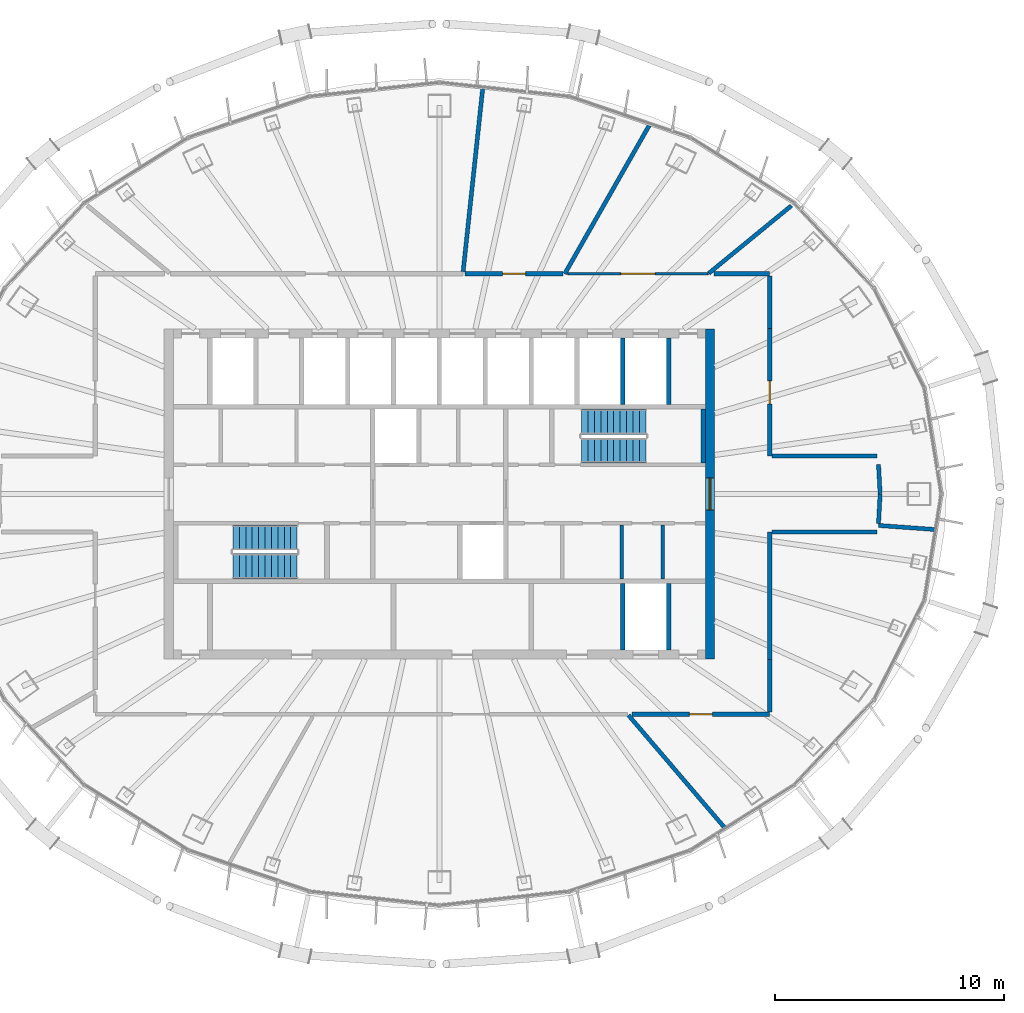
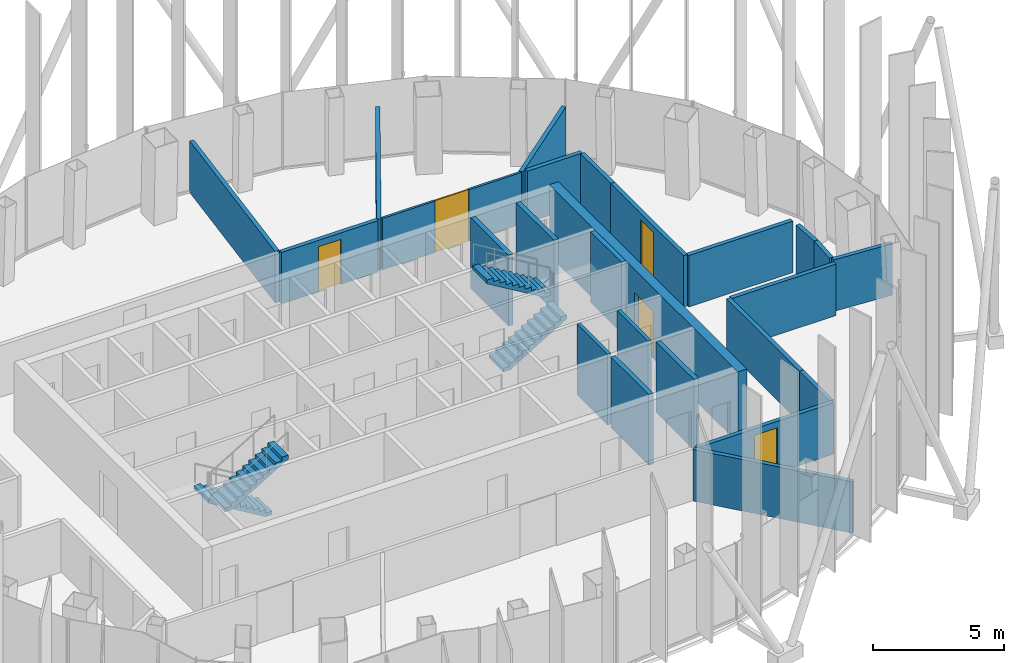
# One storey, part 12 of 19: 25 walls, 5 doors, 4 stair flights, 5 openings, 2 elements without a shape of their own.
"""IFC4 building model written with IfcOpenShell, lengths in metres."""

from ifc_helpers import new_model, si_unit, direction, frame, frame_2d, origin, place, context, subcontext, project, spatial, polyline, rectangle, outline, extrude, material, layer, layer_set, type_object, element, fill, aggregate, save


model = new_model("IFC4")

# Units and contexts
model_context = context("Model", 3, precision=1e-05, world=origin(), true_north=direction((0.0, 1.0)))
body_context = subcontext(model_context, "Body", "Model", "MODEL_VIEW")
ifc_project = project(units=[si_unit("LENGTHUNIT", "METRE"), si_unit("AREAUNIT", "SQUARE_METRE"), si_unit("VOLUMEUNIT", "CUBIC_METRE"), si_unit("PLANEANGLEUNIT", "RADIAN"), si_unit("MASSUNIT", "GRAM", prefix="KILO")], contexts=[model_context])

# Site, building, storey
site_placement = place(None, origin())
site = spatial("IfcSite", under=ifc_project, at=site_placement, CompositionType="ELEMENT")
building_placement = place(site_placement, origin())
building = spatial("IfcBuilding", under=site, at=building_placement, Name="Siaravel Broadcast Tower", CompositionType="ELEMENT")
storey_placement = place(building_placement, frame((0.0, 0.0, 217.10009765625)))
storey = spatial("IfcBuildingStorey", under=building, at=storey_placement, Name="L52", CompositionType="ELEMENT", Elevation=217.10009765625)

# Walls
ifc_material_1 = material(Name="Concrete blockwork", Category="masonry")
ifc_layer_1 = layer(ifc_material_1, 0.14990234375)
ifc_layer_set_1 = layer_set([ifc_layer_1], Name="Concrete blockwork")
wall_type_1 = type_object("IfcWallType", Name="Core partition 150", PredefinedType="PARTITIONING", material=ifc_layer_set_1)
for number, where, z_axis, x_axis, name in (
    (1, (7.951904296875, -3.699951171875, 0.0), (0.0, 0.0, 1.0), (0.0, 1.0, 0.0), "L52 core partition PSE1"),
    (2, (9.73193359375, -3.699951171875, 0.0), (0.0, 0.0, 1.0), (0.0, 1.0, 0.0), "L52 core partition PSE2"),
):
    element("IfcWall", number, at=place(storey_placement, frame(where, z_axis=z_axis, x_axis=x_axis)), inside=storey, type_object=wall_type_1, Name=name, PredefinedType="PARTITIONING", context=body_context, shape_type="SweptSolid", body=[
        extrude(rectangle(XDim=2.349853515625, YDim=0.14990234375, at=frame_2d((1.1748046875, 0.0))), origin(), (0.0, 0.0, 1.0), 3.2998046875),
    ])

# Wall, opening, door
ifc_material_2 = material(Name="Concrete C60/75", Category="concrete")
ifc_layer_2 = layer(ifc_material_2, 0.39990234375)
ifc_layer_set_2 = layer_set([ifc_layer_2], Name="Concrete C60/75")
wall_type_2 = type_object("IfcWallType", Name="Core wall 400", PredefinedType="SHEAR", material=ifc_layer_set_2)
wall_1_placement = place(storey_placement, frame((11.800048828125, -7.199951171875, 0.0), z_axis=(0.0, 0.0, 1.0), x_axis=(0.0, 1.0, 0.0)))
wall_1 = element("IfcWall", 3, at=wall_1_placement, inside=storey, type_object=wall_type_2, Name="L52 core wall OE", PredefinedType="SHEAR", context=body_context, shape_type="SweptSolid", body=[
    extrude(rectangle(XDim=14.39990234375, YDim=0.39990234375, at=frame_2d((7.199951171875, 0.0))), origin(), (0.0, 0.0, 1.0), 3.2998046875),
])
opening_1_placement = place(wall_1_placement, frame((6.5, 0.0, 0.0)))
opening_1 = element("IfcOpeningElement", 4, at=opening_1_placement, cuts=wall_1, Name="Opening L52-DX-E", PredefinedType="OPENING", context=body_context, shape_type="SweptSolid", body=[
    extrude(rectangle(XDim=1.39990234375, YDim=2.199951171875, at=frame_2d((0.699951171875, 1.10009765625))), frame((0.0, 0.2099609375, 0.0), z_axis=(0.0, -1.0, 0.0), x_axis=(1.0, 0.0, 0.0)), (0.0, 0.0, 1.0), 0.419921875),
])
ifc_material_3 = material(Name="Steel", Category="steel")
door_type_1 = type_object("IfcDoorType", Name="Core exit door 1400", OperationType="DOUBLE_DOOR_SINGLE_SWING", PredefinedType="DOOR", material=ifc_material_3)
door_1_placement = place(opening_1_placement, origin())
door_1 = element("IfcDoor", 5, at=door_1_placement, inside=storey, type_object=door_type_1, Name="L52 door DX-E", OperationType="DOUBLE_DOOR_SINGLE_SWING", OverallHeight=2.199951171875, OverallWidth=1.39990234375, PredefinedType="DOOR", context=body_context, shape_type="SweptSolid", body=[
    extrude(rectangle(XDim=1.39990234375, YDim=2.199951171875, at=frame_2d((0.699951171875, 1.10009765625))), frame((0.0, 0.02490234375, 0.0), z_axis=(0.0, -1.0, 0.0), x_axis=(1.0, 0.0, 0.0)), (0.0, 0.0, 1.0), 0.050048828125),
])
fill(opening_1, door_1)

ifc_material_4 = material(Name="Glazed aluminium partition", Category="aluminium")
ifc_layer_3 = layer(ifc_material_4, 0.10009765625)
ifc_layer_set_3 = layer_set([ifc_layer_3], Name="Glazed aluminium partition")
wall_type_3 = type_object("IfcWallType", Name="Glazed meeting room partition 100", PredefinedType="PARTITIONING", material=ifc_layer_set_3)
wall_2_placement = place(storey_placement, frame((11.719970703125, 9.60009765625, 0.0), z_axis=(0.0, 0.0, 1.0), x_axis=(-1.0, 0.0, 0.0)))
wall_2 = element("IfcWall", 6, at=wall_2_placement, inside=storey, type_object=wall_type_3, Name="L52 partition 8", PredefinedType="PARTITIONING", context=body_context, shape_type="SweptSolid", body=[
    extrude(rectangle(XDim=6.120849609375, YDim=0.10009765625, at=frame_2d((3.060546875, 0.0))), origin(), (0.0, 0.0, 1.0), 2.39990234375),
])
opening_2_placement = place(wall_2_placement, frame((2.310302734375, 0.0, 0.0)))
opening_2 = element("IfcOpeningElement", 7, at=opening_2_placement, cuts=wall_2, Name="Opening L52-004", PredefinedType="OPENING", context=body_context, shape_type="SweptSolid", body=[
    extrude(rectangle(XDim=1.5, YDim=2.39990234375, at=frame_2d((0.75, 1.199951171875))), frame((0.0, 0.06005859375, 0.0), z_axis=(0.0, -1.0, 0.0), x_axis=(1.0, 0.0, 0.0)), (0.0, 0.0, 1.0), 0.1201171875),
])
ifc_material_5 = material(Name="Timber veneer", Category="wood")
door_type_2 = type_object("IfcDoorType", Name="Conference double door 1500", OperationType="DOUBLE_DOOR_SINGLE_SWING", PredefinedType="DOOR", material=ifc_material_5)
door_2_placement = place(opening_2_placement, origin())
door_2 = element("IfcDoor", 8, at=door_2_placement, inside=storey, type_object=door_type_2, Name="L52 door to Conference room", OperationType="DOUBLE_DOOR_SINGLE_SWING", OverallHeight=2.39990234375, OverallWidth=1.5, PredefinedType="DOOR", context=body_context, shape_type="SweptSolid", body=[
    extrude(rectangle(XDim=1.5, YDim=2.39990234375, at=frame_2d((0.75, 1.199951171875))), frame((0.0, 0.02490234375, 0.0), z_axis=(0.0, -1.0, 0.0), x_axis=(1.0, 0.0, 0.0)), (0.0, 0.0, 1.0), 0.050048828125),
])
fill(opening_2, door_2)

# Walls
ifc_layer_4 = layer(ifc_material_1, 0.179931640625)
ifc_layer_set_4 = layer_set([ifc_layer_4], Name="Concrete blockwork")
wall_type_4 = type_object("IfcWallType", Name="Service room fire partition 180", PredefinedType="PARTITIONING", material=ifc_layer_set_4)
wall_3_placement = place(storey_placement, frame((1.890380859375, 17.698486328125, 0.0), z_axis=(0.0, 0.0, 1.0), x_axis=(-0.106198071, -0.994344995, 0.0)))
element("IfcWall", 9, at=wall_3_placement, inside=storey, type_object=wall_type_4, Name="L52 partition 4", PredefinedType="PARTITIONING", context=body_context, shape_type="SweptSolid", body=[
    extrude(rectangle(XDim=8.05322265625, YDim=0.179931640625, at=frame_2d((4.026611328125, 0.0))), origin(), (0.0, 0.0, 1.0), 2.39990234375),
])
wall_4_placement = place(storey_placement, frame((9.16796875, 16.1044921875, 0.0), z_axis=(0.0, 0.0, 1.0), x_axis=(-0.494736666, -0.86904294, 0.0)))
element("IfcWall", 10, at=wall_4_placement, inside=storey, type_object=wall_type_4, Name="L52 partition 6", PredefinedType="PARTITIONING", context=body_context, shape_type="SweptSolid", body=[
    extrude(rectangle(XDim=7.484619140625, YDim=0.179931640625, at=frame_2d((3.7421875, 0.0))), origin(), (0.0, 0.0, 1.0), 2.39990234375),
])
wall_5_placement = place(storey_placement, frame((12.44580078125, -14.5595703125, 0.0), z_axis=(0.0, 0.0, 1.0), x_axis=(-0.649761442, 0.76013819, 0.0)))
element("IfcWall", 11, at=wall_5_placement, inside=storey, type_object=wall_type_4, Name="L52 partition 7", PredefinedType="PARTITIONING", context=body_context, shape_type="SweptSolid", body=[
    extrude(rectangle(XDim=6.46533203125, YDim=0.179931640625, at=frame_2d((3.232666015625, 0.0))), origin(), (0.0, 0.0, 1.0), 2.39990234375),
])

# Wall, opening, door
wall_6_placement = place(storey_placement, frame((8.40380859375, -9.60009765625, 0.0), z_axis=(0.0, 0.0, 1.0), x_axis=(1.0, 0.0, 0.0)))
wall_6 = element("IfcWall", 12, at=wall_6_placement, inside=storey, type_object=wall_type_4, Name="L52 partition 9", PredefinedType="PARTITIONING", context=body_context, shape_type="SweptSolid", body=[
    extrude(rectangle(XDim=5.99609375, YDim=0.179931640625, at=frame_2d((2.998046875, 0.0))), origin(), (0.0, 0.0, 1.0), 2.39990234375),
])
opening_3_placement = place(wall_6_placement, frame((2.498046875, 0.0, 0.0)))
opening_3 = element("IfcOpeningElement", 13, at=opening_3_placement, cuts=wall_6, Name="Opening L52-002", PredefinedType="OPENING", context=body_context, shape_type="SweptSolid", body=[
    extrude(rectangle(XDim=1.0, YDim=2.10009765625, at=frame_2d((0.5, 1.050048828125))), frame((0.0, 0.099853515625, 0.0), z_axis=(0.0, -1.0, 0.0), x_axis=(1.0, 0.0, 0.0)), (0.0, 0.0, 1.0), 0.199951171875),
])
door_type_3 = type_object("IfcDoorType", Name="Service room door 1000", OperationType="SINGLE_SWING_LEFT", PredefinedType="DOOR", material=ifc_material_3)
door_3_placement = place(opening_3_placement, origin())
door_3 = element("IfcDoor", 14, at=door_3_placement, inside=storey, type_object=door_type_3, Name="L52 door to Library", OperationType="SINGLE_SWING_RIGHT", OverallHeight=2.10009765625, OverallWidth=1.0, PredefinedType="DOOR", context=body_context, shape_type="SweptSolid", body=[
    extrude(rectangle(XDim=1.0, YDim=2.10009765625, at=frame_2d((0.5, 1.050048828125))), frame((0.0, 0.02490234375, 0.0), z_axis=(0.0, -1.0, 0.0), x_axis=(1.0, 0.0, 0.0)), (0.0, 0.0, 1.0), 0.050048828125),
])
fill(opening_3, door_3)

# Wall
wall_7_placement = place(storey_placement, frame((14.39990234375, -7.2119140625, 0.0), z_axis=(0.0, 0.0, 1.0), x_axis=(0.0, 1.0, 0.0)))
element("IfcWall", 15, at=wall_7_placement, inside=storey, type_object=wall_type_4, Name="L52 partition 12", PredefinedType="PARTITIONING", context=body_context, shape_type="SweptSolid", body=[
    extrude(rectangle(XDim=5.56201171875, YDim=0.179931640625, at=frame_2d((2.781005859375, 0.0))), origin(), (0.0, 0.0, 1.0), 2.39990234375),
])

# Wall, opening, door
wall_8_placement = place(storey_placement, frame((14.39990234375, 1.64990234375, 0.0), z_axis=(0.0, 0.0, 1.0), x_axis=(0.0, 1.0, 0.0)))
wall_8 = element("IfcWall", 16, at=wall_8_placement, inside=storey, type_object=wall_type_4, Name="L52 partition 13", PredefinedType="PARTITIONING", context=body_context, shape_type="SweptSolid", body=[
    extrude(rectangle(XDim=5.56201171875, YDim=0.179931640625, at=frame_2d((2.781005859375, 0.0))), origin(), (0.0, 0.0, 1.0), 2.39990234375),
])
opening_4_placement = place(wall_8_placement, frame((2.281005859375, 0.0, 0.0)))
opening_4 = element("IfcOpeningElement", 17, at=opening_4_placement, cuts=wall_8, Name="Opening L52-003", PredefinedType="OPENING", context=body_context, shape_type="SweptSolid", body=[
    extrude(rectangle(XDim=1.0, YDim=2.10009765625, at=frame_2d((0.5, 1.050048828125))), frame((0.0, 0.099853515625, 0.0), z_axis=(0.0, -1.0, 0.0), x_axis=(1.0, 0.0, 0.0)), (0.0, 0.0, 1.0), 0.199951171875),
])
door_4_placement = place(opening_4_placement, origin())
door_4 = element("IfcDoor", 18, at=door_4_placement, inside=storey, type_object=door_type_3, Name="L52 door to Library", OperationType="SINGLE_SWING_LEFT", OverallHeight=2.10009765625, OverallWidth=1.0, PredefinedType="DOOR", context=body_context, shape_type="SweptSolid", body=[
    extrude(rectangle(XDim=1.0, YDim=2.10009765625, at=frame_2d((0.5, 1.050048828125))), frame((0.0, 0.02490234375, 0.0), z_axis=(0.0, -1.0, 0.0), x_axis=(1.0, 0.0, 0.0)), (0.0, 0.0, 1.0), 0.050048828125),
])
fill(opening_4, door_4)

# Walls
wall_9_placement = place(storey_placement, frame((15.344970703125, 12.5693359375, 0.0), z_axis=(0.0, 0.0, 1.0), x_axis=(-0.773592416, -0.633683497, 0.0)))
element("IfcWall", 19, at=wall_9_placement, inside=storey, type_object=wall_type_4, Name="L52 partition 15", PredefinedType="PARTITIONING", context=body_context, shape_type="SweptSolid", body=[
    extrude(rectangle(XDim=4.652099609375, YDim=0.179931640625, at=frame_2d((2.326171875, 0.0))), origin(), (0.0, 0.0, 1.0), 2.39990234375),
])
for number, where, z_axis, x_axis, name in (
    (20, (19.0849609375, 1.64990234375, 0.0), (0.0, 0.0, 1.0), (-1.0, 0.0, 0.0), "L52 partition 16"),
    (21, (14.491943359375, -1.64990234375, 0.0), (0.0, 0.0, 1.0), (1.0, 0.0, 0.0), "L52 partition 17"),
):
    element("IfcWall", number, at=place(storey_placement, frame(where, z_axis=z_axis, x_axis=x_axis)), inside=storey, type_object=wall_type_4, Name=name, PredefinedType="PARTITIONING", context=body_context, shape_type="SweptSolid", body=[
        extrude(rectangle(XDim=4.593017578125, YDim=0.179931640625, at=frame_2d((2.29638671875, 0.0))), origin(), (0.0, 0.0, 1.0), 2.39990234375),
    ])

# Wall, opening, door
wall_10_placement = place(storey_placement, frame((5.385009765625, 9.60009765625, 0.0), z_axis=(0.0, 0.0, 1.0), x_axis=(-1.0, 0.0, 0.0)))
wall_10 = element("IfcWall", 22, at=wall_10_placement, inside=storey, type_object=wall_type_4, Name="L52 partition 18", PredefinedType="PARTITIONING", context=body_context, shape_type="SweptSolid", body=[
    extrude(rectangle(XDim=4.257568359375, YDim=0.179931640625, at=frame_2d((2.12890625, 0.0))), origin(), (0.0, 0.0, 1.0), 2.39990234375),
])
opening_5_placement = place(wall_10_placement, frame((1.628662109375, 0.0, 0.0)))
opening_5 = element("IfcOpeningElement", 23, at=opening_5_placement, cuts=wall_10, Name="Opening L52-005", PredefinedType="OPENING", context=body_context, shape_type="SweptSolid", body=[
    extrude(rectangle(XDim=1.0, YDim=2.10009765625, at=frame_2d((0.5, 1.050048828125))), frame((0.0, 0.099853515625, 0.0), z_axis=(0.0, -1.0, 0.0), x_axis=(1.0, 0.0, 0.0)), (0.0, 0.0, 1.0), 0.199951171875),
])
door_5_placement = place(opening_5_placement, origin())
door_5 = element("IfcDoor", 24, at=door_5_placement, inside=storey, type_object=door_type_3, Name="L52 door to Library", OperationType="SINGLE_SWING_LEFT", OverallHeight=2.10009765625, OverallWidth=1.0, PredefinedType="DOOR", context=body_context, shape_type="SweptSolid", body=[
    extrude(rectangle(XDim=1.0, YDim=2.10009765625, at=frame_2d((0.5, 1.050048828125))), frame((0.0, 0.02490234375, 0.0), z_axis=(0.0, -1.0, 0.0), x_axis=(1.0, 0.0, 0.0)), (0.0, 0.0, 1.0), 0.050048828125),
])
fill(opening_5, door_5)

# Walls
wall_11_placement = place(storey_placement, frame((14.39990234375, 9.60009765625, 0.0), z_axis=(0.0, 0.0, 1.0), x_axis=(-1.0, 0.0, 0.0)))
element("IfcWall", 25, at=wall_11_placement, inside=storey, type_object=wall_type_4, Name="L52 partition 23", PredefinedType="PARTITIONING", context=body_context, shape_type="SweptSolid", body=[
    extrude(rectangle(XDim=2.426025390625, YDim=0.179931640625, at=frame_2d((1.212890625, 0.0))), origin(), (0.0, 0.0, 1.0), 2.39990234375),
])
wall_12_placement = place(storey_placement, frame((21.633544921875, -1.55029296875, 0.0), z_axis=(0.0, 0.0, 1.0), x_axis=(-0.997442317, 0.071476043, 0.0)))
element("IfcWall", 26, at=wall_12_placement, inside=storey, type_object=wall_type_4, Name="L52 partition 25", PredefinedType="PARTITIONING", context=body_context, shape_type="SweptSolid", body=[
    extrude(rectangle(XDim=2.500244140625, YDim=0.179931640625, at=frame_2d((1.25, 0.0))), origin(), (0.0, 0.0, 1.0), 2.39990234375),
])
for number, where, z_axis, x_axis, name in (
    (27, (14.39990234375, -9.508056640625, 0.0), (0.0, 0.0, 1.0), (0.0, 1.0, 0.0), "L52 partition 27"),
    (28, (14.39990234375, 7.212890625, 0.0), (0.0, 0.0, 1.0), (0.0, 1.0, 0.0), "L52 partition 28"),
):
    element("IfcWall", number, at=place(storey_placement, frame(where, z_axis=z_axis, x_axis=x_axis)), inside=storey, type_object=wall_type_4, Name=name, PredefinedType="PARTITIONING", context=body_context, shape_type="SweptSolid", body=[
        extrude(rectangle(XDim=2.295166015625, YDim=0.179931640625, at=frame_2d((1.1474609375, 0.0))), origin(), (0.0, 0.0, 1.0), 2.39990234375),
    ])
wall_13_placement = place(storey_placement, frame((19.144287109375, -1.27978515625, 0.0), z_axis=(0.0, 0.0, 1.0), x_axis=(0.05333869, 0.998576479, 0.0)))
element("IfcWall", 29, at=wall_13_placement, inside=storey, type_object=wall_type_4, Name="L52 partition 31", PredefinedType="PARTITIONING", context=body_context, shape_type="SweptSolid", body=[
    extrude(rectangle(XDim=1.281494140625, YDim=0.179931640625, at=frame_2d((0.640625, 0.0))), origin(), (0.0, 0.0, 1.0), 2.39990234375),
])
wall_14_placement = place(storey_placement, frame((19.2119140625, 0.011474609375, 0.0), z_axis=(0.0, 0.0, 1.0), x_axis=(-0.053214222, 0.99858312, 0.0)))
element("IfcWall", 30, at=wall_14_placement, inside=storey, type_object=wall_type_4, Name="L52 partition 33", PredefinedType="PARTITIONING", context=body_context, shape_type="SweptSolid", body=[
    extrude(rectangle(XDim=1.270751953125, YDim=0.179931640625, at=frame_2d((0.63525390625, 0.0))), origin(), (0.0, 0.0, 1.0), 2.39990234375),
])
ifc_layer_5 = layer(ifc_material_2, 0.199951171875)
ifc_layer_set_5 = layer_set([ifc_layer_5], Name="Concrete C60/75")
wall_type_5 = type_object("IfcWallType", Name="Shaft wall 200", PredefinedType="SHEAR", material=ifc_layer_set_5)
for number, where, z_axis, x_axis, name in (
    (31, (8.0, -6.800048828125, 0.0), (0.0, 0.0, 1.0), (0.0, 1.0, 0.0), "L52 core wall SWS9"),
    (32, (10.0, -6.800048828125, 0.0), (0.0, 0.0, 1.0), (0.0, 1.0, 0.0), "L52 core wall SWS10"),
    (33, (8.0, 3.89990234375, 0.0), (0.0, 0.0, 1.0), (0.0, 1.0, 0.0), "L52 core wall SWN9"),
    (34, (10.0, 3.89990234375, 0.0), (0.0, 0.0, 1.0), (0.0, 1.0, 0.0), "L52 core wall SWN10"),
):
    element("IfcWall", number, at=place(storey_placement, frame(where, z_axis=z_axis, x_axis=x_axis)), inside=storey, type_object=wall_type_5, Name=name, PredefinedType="SHEAR", context=body_context, shape_type="SweptSolid", body=[
        extrude(rectangle(XDim=2.900146484375, YDim=0.199951171875, at=frame_2d((1.4501953125, 0.0))), origin(), (0.0, 0.0, 1.0), 3.2998046875),
    ])
wall_15_placement = place(storey_placement, frame((11.5, 1.35009765625, 0.0), z_axis=(0.0, 0.0, 1.0), x_axis=(0.0, 1.0, 0.0)))
element("IfcWall", 35, at=wall_15_placement, inside=storey, type_object=wall_type_5, Name="L52 core wall ST2E", PredefinedType="SHEAR", context=body_context, shape_type="SweptSolid", body=[
    extrude(rectangle(XDim=2.349853515625, YDim=0.199951171875, at=frame_2d((1.1748046875, 0.0))), origin(), (0.0, 0.0, 1.0), 3.2998046875),
])

# Stair, stair flights
ifc_material_6 = material(Name="Concrete C40/50", Category="concrete")
stair_type = type_object("IfcStairType", Name="Core exit stair", PredefinedType="HALF_TURN_STAIR", material=ifc_material_6)
stair_1_placement = place(storey_placement, origin())
stair_1 = element("IfcStair", 36, at=stair_1_placement, inside=storey, type_object=stair_type, Name="L52 Exit stair ST-1", PredefinedType="HALF_TURN_STAIR")
stair_flight_type = type_object("IfcStairFlightType", Name="Stair flight 1100", PredefinedType="STRAIGHT", material=ifc_material_6)
stair_flight_1_placement = place(storey_placement, frame((-6.199951171875, -1.89990234375, 0.0), z_axis=(0.0, 0.0, 1.0), x_axis=(-1.0, 0.0, 0.0)))
stair_flight_1 = element("IfcStairFlight", 37, at=stair_flight_1_placement, type_object=stair_flight_type, Name="ST-1 flight 1", NumberOfRisers=11, NumberOfTreads=10, PredefinedType="STRAIGHT", RiserHeight=0.1681818, TreadLength=0.28, context=body_context, shape_type="SweptSolid", body=[
    extrude(outline(polyline([(0.0, 0.0), (0.0, 0.168212890625), (0.280029296875, 0.168212890625), (0.280029296875, 0.33642578125), (0.56005859375, 0.33642578125), (0.56005859375, 0.504638671875), (0.840087890625, 0.504638671875), (0.840087890625, 0.672607421875), (1.1201171875, 0.672607421875), (1.1201171875, 0.8408203125), (1.39990234375, 0.8408203125), (1.39990234375, 1.009033203125), (1.679931640625, 1.009033203125), (1.679931640625, 1.17724609375), (1.9599609375, 1.17724609375), (1.9599609375, 1.345458984375), (2.239990234375, 1.345458984375), (2.239990234375, 1.513671875), (2.52001953125, 1.513671875), (2.52001953125, 1.681884765625), (2.800048828125, 1.681884765625), (2.800048828125, 1.85009765625), (2.800048828125, 1.5068359375), (0.291015625, 0.0), (0.0, 0.0)])), frame((0.0, 0.550048828125, 0.0), z_axis=(0.0, -1.0, 0.0), x_axis=(1.0, 0.0, 0.0)), (0.0, 0.0, 1.0), 1.10009765625),
])
stair_flight_2_placement = place(storey_placement, frame((-9.0, -3.14990234375, 1.849853515625), z_axis=(0.0, 0.0, 1.0), x_axis=(1.0, 0.0, 0.0)))
stair_flight_2 = element("IfcStairFlight", 38, at=stair_flight_2_placement, type_object=stair_flight_type, Name="ST-1 flight 2", NumberOfRisers=11, NumberOfTreads=10, PredefinedType="STRAIGHT", RiserHeight=0.1681818, TreadLength=0.28, context=body_context, shape_type="SweptSolid", body=[
    extrude(outline(polyline([(0.0, 0.0), (0.0, 0.168212890625), (0.280029296875, 0.168212890625), (0.280029296875, 0.33642578125), (0.56005859375, 0.33642578125), (0.56005859375, 0.504638671875), (0.840087890625, 0.504638671875), (0.840087890625, 0.672607421875), (1.1201171875, 0.672607421875), (1.1201171875, 0.8408203125), (1.39990234375, 0.8408203125), (1.39990234375, 1.009033203125), (1.679931640625, 1.009033203125), (1.679931640625, 1.17724609375), (1.9599609375, 1.17724609375), (1.9599609375, 1.345458984375), (2.239990234375, 1.345458984375), (2.239990234375, 1.513671875), (2.52001953125, 1.513671875), (2.52001953125, 1.681884765625), (2.800048828125, 1.681884765625), (2.800048828125, 1.85009765625), (2.800048828125, 1.5068359375), (0.291015625, 0.0), (0.0, 0.0)])), frame((0.0, 0.550048828125, 0.0), z_axis=(0.0, -1.0, 0.0), x_axis=(1.0, 0.0, 0.0)), (0.0, 0.0, 1.0), 1.10009765625),
])
aggregate(stair_1, [stair_flight_1, stair_flight_2])

stair_2_placement = place(storey_placement, origin())
stair_2 = element("IfcStair", 39, at=stair_2_placement, inside=storey, type_object=stair_type, Name="L52 Exit stair ST-2", PredefinedType="HALF_TURN_STAIR")
stair_flight_3_placement = place(storey_placement, frame((6.199951171875, 1.89990234375, 0.0), z_axis=(0.0, 0.0, 1.0), x_axis=(1.0, 0.0, 0.0)))
stair_flight_3 = element("IfcStairFlight", 40, at=stair_flight_3_placement, type_object=stair_flight_type, Name="ST-2 flight 1", NumberOfRisers=11, NumberOfTreads=10, PredefinedType="STRAIGHT", RiserHeight=0.1681818, TreadLength=0.28, context=body_context, shape_type="SweptSolid", body=[
    extrude(outline(polyline([(0.0, 0.0), (0.0, 0.168212890625), (0.280029296875, 0.168212890625), (0.280029296875, 0.33642578125), (0.56005859375, 0.33642578125), (0.56005859375, 0.504638671875), (0.840087890625, 0.504638671875), (0.840087890625, 0.672607421875), (1.1201171875, 0.672607421875), (1.1201171875, 0.8408203125), (1.39990234375, 0.8408203125), (1.39990234375, 1.009033203125), (1.679931640625, 1.009033203125), (1.679931640625, 1.17724609375), (1.9599609375, 1.17724609375), (1.9599609375, 1.345458984375), (2.239990234375, 1.345458984375), (2.239990234375, 1.513671875), (2.52001953125, 1.513671875), (2.52001953125, 1.681884765625), (2.800048828125, 1.681884765625), (2.800048828125, 1.85009765625), (2.800048828125, 1.5068359375), (0.291015625, 0.0), (0.0, 0.0)])), frame((0.0, 0.550048828125, 0.0), z_axis=(0.0, -1.0, 0.0), x_axis=(1.0, 0.0, 0.0)), (0.0, 0.0, 1.0), 1.10009765625),
])
stair_flight_4_placement = place(storey_placement, frame((9.0, 3.14990234375, 1.849853515625), z_axis=(0.0, 0.0, 1.0), x_axis=(-1.0, 0.0, 0.0)))
stair_flight_4 = element("IfcStairFlight", 41, at=stair_flight_4_placement, type_object=stair_flight_type, Name="ST-2 flight 2", NumberOfRisers=11, NumberOfTreads=10, PredefinedType="STRAIGHT", RiserHeight=0.1681818, TreadLength=0.28, context=body_context, shape_type="SweptSolid", body=[
    extrude(outline(polyline([(0.0, 0.0), (0.0, 0.168212890625), (0.280029296875, 0.168212890625), (0.280029296875, 0.33642578125), (0.56005859375, 0.33642578125), (0.56005859375, 0.504638671875), (0.840087890625, 0.504638671875), (0.840087890625, 0.672607421875), (1.1201171875, 0.672607421875), (1.1201171875, 0.8408203125), (1.39990234375, 0.8408203125), (1.39990234375, 1.009033203125), (1.679931640625, 1.009033203125), (1.679931640625, 1.17724609375), (1.9599609375, 1.17724609375), (1.9599609375, 1.345458984375), (2.239990234375, 1.345458984375), (2.239990234375, 1.513671875), (2.52001953125, 1.513671875), (2.52001953125, 1.681884765625), (2.800048828125, 1.681884765625), (2.800048828125, 1.85009765625), (2.800048828125, 1.5068359375), (0.291015625, 0.0), (0.0, 0.0)])), frame((0.0, 0.550048828125, 0.0), z_axis=(0.0, -1.0, 0.0), x_axis=(1.0, 0.0, 0.0)), (0.0, 0.0, 1.0), 1.10009765625),
])
aggregate(stair_2, [stair_flight_3, stair_flight_4])

save(model, "model.ifc")
